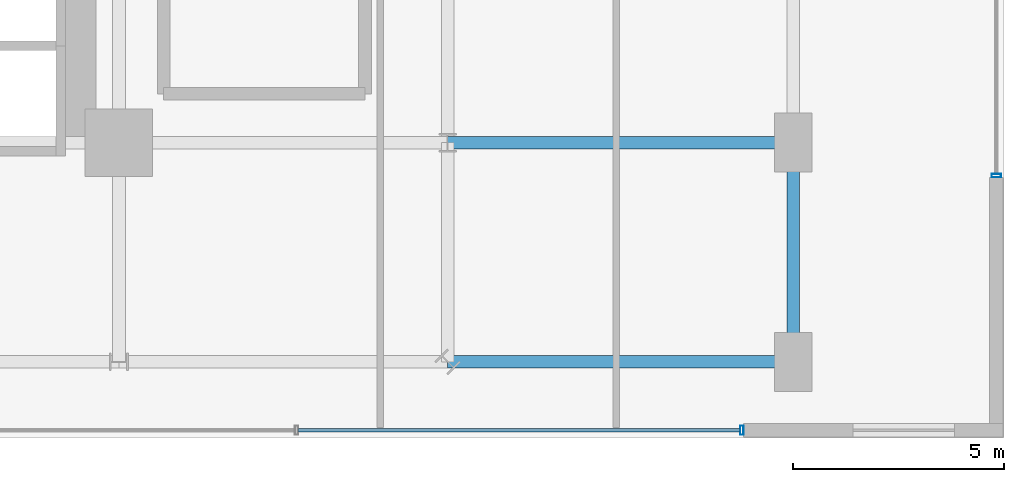
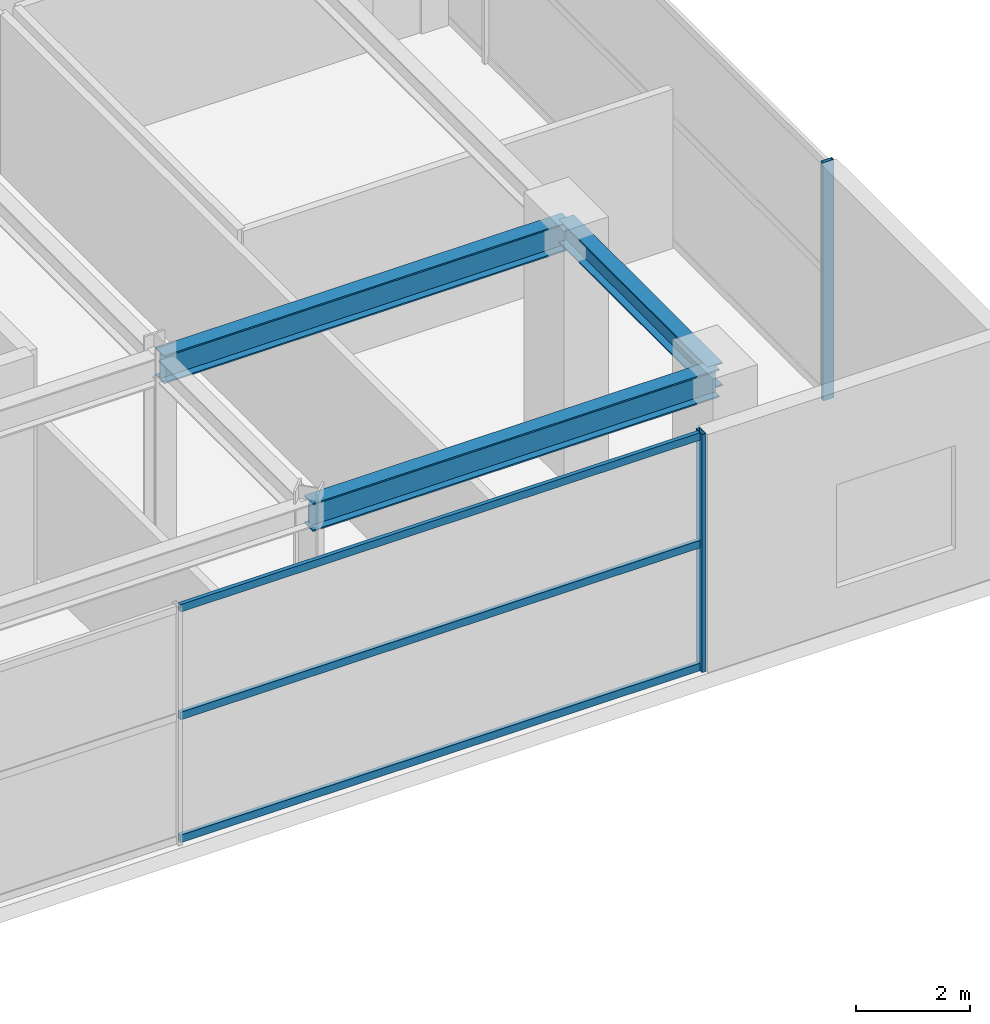
# One storey, part 21 of 32: 5 members, 3 beams, 2 elements without a shape of their own.
"""IFC4 building model written with IfcOpenShell, lengths in metres."""

from ifc_helpers import new_model, si_unit, direction, frame, origin, origin_2d, place, context, subcontext, project, spatial, hollow_rectangle, i_section, extrude, source, transform, mapped, material, material_profile, profile_set, type_object, element, aggregate, save


model = new_model("IFC4")

# Units and contexts
model_context = context("Model", 3, precision=1e-05, world=origin(), true_north=direction((0.0, 1.0)))
body_context = subcontext(model_context, "Body", "Model", "MODEL_VIEW")
ifc_project = project(units=[si_unit("LENGTHUNIT", "METRE"), si_unit("AREAUNIT", "SQUARE_METRE"), si_unit("VOLUMEUNIT", "CUBIC_METRE"), si_unit("PLANEANGLEUNIT", "RADIAN"), si_unit("MASSUNIT", "GRAM", prefix="KILO")], contexts=[model_context])

# Site, building, storey
site_placement = place(None, origin())
site = spatial("IfcSite", under=ifc_project, at=site_placement, CompositionType="ELEMENT")
building_placement = place(site_placement, origin())
building = spatial("IfcBuilding", under=site, at=building_placement, Name="Nahalor Promenade Grand Hotel", CompositionType="ELEMENT")
storey_placement = place(building_placement, frame((0.0, 0.0, 5.39990234375)))
storey = spatial("IfcBuildingStorey", under=building, at=storey_placement, Name="L01", CompositionType="ELEMENT", Elevation=5.39990234375)

# Beams
ifc_material_1 = material(Name="Steel S355JR", Category="steel")
ifc_material_profile_1 = material_profile(ifc_material_1, i_section(OverallWidth=0.3, OverallDepth=0.6, WebThickness=0.0155, FlangeThickness=0.03, at=origin_2d()), Name="HEB 600")
ifc_profile_set_1 = profile_set([ifc_material_profile_1], Name="Steel S355JR")
beam_type_1 = type_object("IfcBeamType", Name="Beam-Girder-HEB600", PredefinedType="BEAM", material=ifc_profile_set_1)
shared_shape_1 = source(origin(), body_context, "Body", "SweptSolid", [
    extrude(i_section(OverallWidth=0.3, OverallDepth=0.6, WebThickness=0.0155, FlangeThickness=0.03, at=origin_2d()), origin(), (0.0, 0.0, 1.0), 8.199951171875),
])
for number, where, z_axis, x_axis, name in (
    (1, (24.800048828125, -17.0, 4.780029296875), (1.0, 0.0, 0.0), (0.0, 1.0, 0.0), "BM-L01-GX-0-8"),
    (2, (24.800048828125, -22.199951171875, 4.780029296875), (1.0, 0.0, 0.0), (0.0, 1.0, 0.0), "BM-L01-TIE-PE--22"),
):
    element("IfcBeam", number, at=place(storey_placement, frame(where, z_axis=z_axis, x_axis=x_axis)), inside=storey, type_object=beam_type_1, Name=name, PredefinedType="BEAM", context=body_context, shape_type="MappedRepresentation", body=[
        mapped(shared_shape_1, transform((0.0, 0.0, 0.0), scale=1.0)),
    ])
ifc_material_profile_2 = material_profile(ifc_material_1, i_section(OverallWidth=0.3, OverallDepth=0.5, WebThickness=0.0145, FlangeThickness=0.028, at=origin_2d()), Name="HEB 500")
ifc_profile_set_2 = profile_set([ifc_material_profile_2], Name="Steel S355JR")
beam_type_2 = type_object("IfcBeamType", Name="Beam-Spandrel-HEB500", PredefinedType="SPANDREL", material=ifc_profile_set_2)
shared_shape_2 = source(origin(), body_context, "Body", "SweptSolid", [
    extrude(i_section(OverallWidth=0.3, OverallDepth=0.5, WebThickness=0.0145, FlangeThickness=0.028, at=origin_2d()), origin(), (0.0, 0.0, 1.0), 5.199951171875),
])
beam_placement = place(storey_placement, frame((33.0, -22.199951171875, 4.830078125), z_axis=(0.0, 1.0, 0.0), x_axis=(-1.0, 0.0, 0.0)))
element("IfcBeam", 3, at=beam_placement, inside=storey, type_object=beam_type_2, Name="BM-L01-PE-0", PredefinedType="SPANDREL", context=body_context, shape_type="MappedRepresentation", body=[
    mapped(shared_shape_2, transform((0.0, 0.0, 0.0), scale=1.0)),
])

# Curtain wall, member
ifc_material_2 = material(Name="Anodised Bronze Aluminium EN AW-6063 T6", Category="aluminium")
curtain_wall_type = type_object("IfcCurtainWallType", Name="CW1 Waterfront Podium Bronze Arcade Curtain Wall", PredefinedType="USERDEFINED", material=ifc_material_2)
curtain_wall_1_placement = place(storey_placement, origin())
curtain_wall_1 = element("IfcCurtainWall", 4, at=curtain_wall_1_placement, inside=storey, type_object=curtain_wall_type, Name="L01 Curtain Wall CW-L01-S", ObjectType="UNITISED_CURTAIN_WALL", PredefinedType="USERDEFINED")
ifc_material_profile_3 = material_profile(ifc_material_2, hollow_rectangle(XDim=0.08, YDim=0.22, WallThickness=0.005, at=origin_2d()), Name="CWM 80x220x5")
ifc_profile_set_3 = profile_set([ifc_material_profile_3], Name="Anodised Bronze Aluminium EN AW-6063 T6")
member_type_1 = type_object("IfcMemberType", Name="CWM1 Podium Bronze Mullion 80x220", PredefinedType="MULLION", material=ifc_profile_set_3)
shared_shape_3 = source(origin(), body_context, "Body", "SweptSolid", [
    extrude(hollow_rectangle(XDim=0.08, YDim=0.22, WallThickness=0.005, at=origin_2d()), origin(), (0.0, 0.0, 1.0), 5.080078125),
])
member_1_placement = place(storey_placement, frame((31.780029296875, -23.820068359375, 0.0), z_axis=(0.0, 0.0, 1.0), x_axis=(1.0, 0.0, 0.0)))
member_1 = element("IfcMember", 5, at=member_1_placement, type_object=member_type_1, Name="CW-L01-S Mullion 6", PredefinedType="MULLION", context=body_context, shape_type="MappedRepresentation", body=[
    mapped(shared_shape_3, transform((0.0, 0.0, 0.0), scale=1.0)),
])

curtain_wall_2_placement = place(storey_placement, origin())
curtain_wall_2 = element("IfcCurtainWall", 6, at=curtain_wall_2_placement, inside=storey, type_object=curtain_wall_type, Name="L01 Curtain Wall CW-L01-E", ObjectType="UNITISED_CURTAIN_WALL", PredefinedType="USERDEFINED")
member_2_placement = place(storey_placement, frame((37.820068359375, -17.780029296875, 0.0), z_axis=(0.0, 0.0, 1.0), x_axis=(0.0, 1.0, 0.0)))
member_2 = element("IfcMember", 7, at=member_2_placement, type_object=member_type_1, Name="CW-L01-E Mullion 0", PredefinedType="MULLION", context=body_context, shape_type="MappedRepresentation", body=[
    mapped(shared_shape_3, transform((0.0, 0.0, 0.0), scale=1.0)),
])
aggregate(curtain_wall_2, [member_2])

# Member
ifc_material_profile_4 = material_profile(ifc_material_2, hollow_rectangle(XDim=0.08, YDim=0.16, WallThickness=0.004, at=origin_2d()), Name="CWT 80x160x4")
ifc_profile_set_4 = profile_set([ifc_material_profile_4], Name="Anodised Bronze Aluminium EN AW-6063 T6")
member_type_2 = type_object("IfcMemberType", Name="CWT1 Podium Bronze Transom 80x160", PredefinedType="USERDEFINED", material=ifc_profile_set_4)
shared_shape_4 = source(origin(), body_context, "Body", "SweptSolid", [
    extrude(hollow_rectangle(XDim=0.08, YDim=0.16, WallThickness=0.004, at=origin_2d()), origin(), (0.0, 0.0, 1.0), 10.486572265625),
])
member_3_placement = place(storey_placement, frame((21.25341796875, -23.820068359375, 0.080078125), z_axis=(1.0, 0.0, 0.0), x_axis=(0.0, 1.0, 0.0)))
member_3 = element("IfcMember", 8, at=member_3_placement, type_object=member_type_2, Name="CW-L01-S Transom 5-0", ObjectType="TRANSOM", PredefinedType="USERDEFINED", context=body_context, shape_type="MappedRepresentation", body=[
    mapped(shared_shape_4, transform((0.0, 0.0, 0.0), scale=1.0)),
])

member_4_placement = place(storey_placement, frame((21.25341796875, -23.820068359375, 2.7001953125), z_axis=(1.0, 0.0, 0.0), x_axis=(0.0, 1.0, 0.0)))
member_4 = element("IfcMember", 9, at=member_4_placement, type_object=member_type_2, Name="CW-L01-S Transom 5-1", ObjectType="TRANSOM", PredefinedType="USERDEFINED", context=body_context, shape_type="MappedRepresentation", body=[
    mapped(shared_shape_4, transform((0.0, 0.0, 0.0), scale=1.0)),
])

member_5_placement = place(storey_placement, frame((21.25341796875, -23.820068359375, 5.0), z_axis=(1.0, 0.0, 0.0), x_axis=(0.0, 1.0, 0.0)))
member_5 = element("IfcMember", 10, at=member_5_placement, type_object=member_type_2, Name="CW-L01-S Transom 5-2", ObjectType="TRANSOM", PredefinedType="USERDEFINED", context=body_context, shape_type="MappedRepresentation", body=[
    mapped(shared_shape_4, transform((0.0, 0.0, 0.0), scale=1.0)),
])

aggregate(curtain_wall_1, [member_1, member_3, member_4, member_5])

save(model, "model.ifc")
